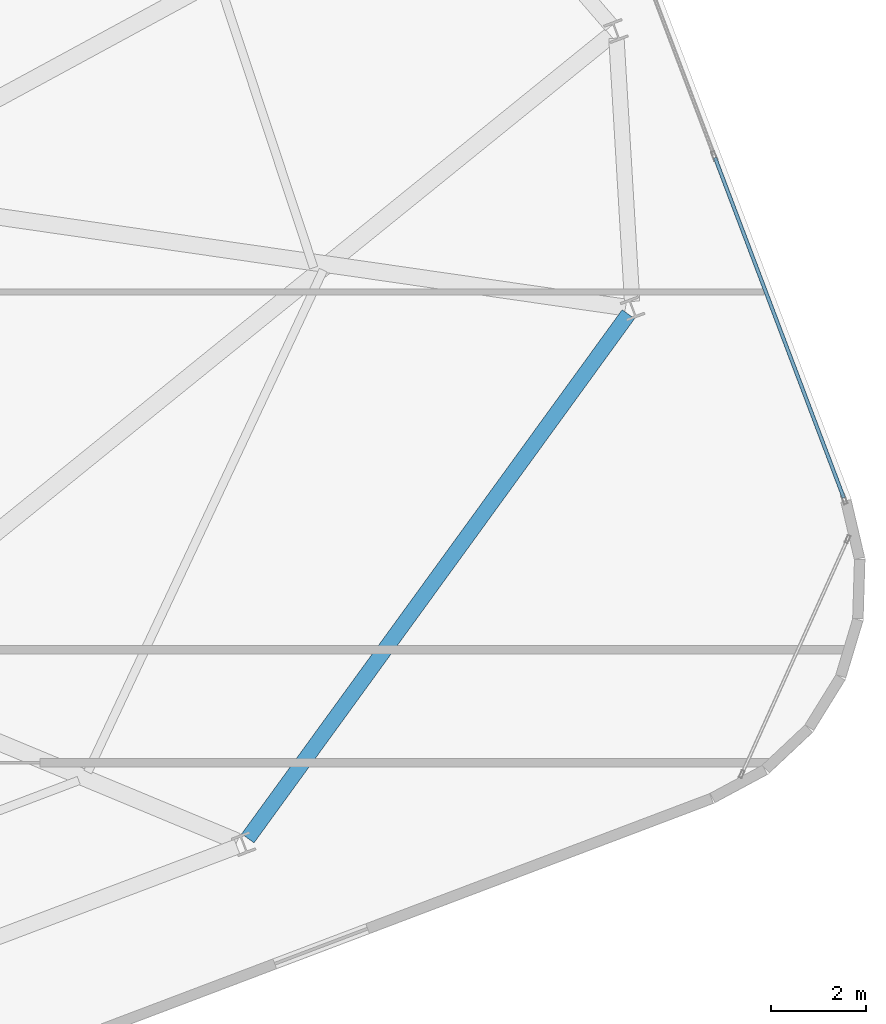
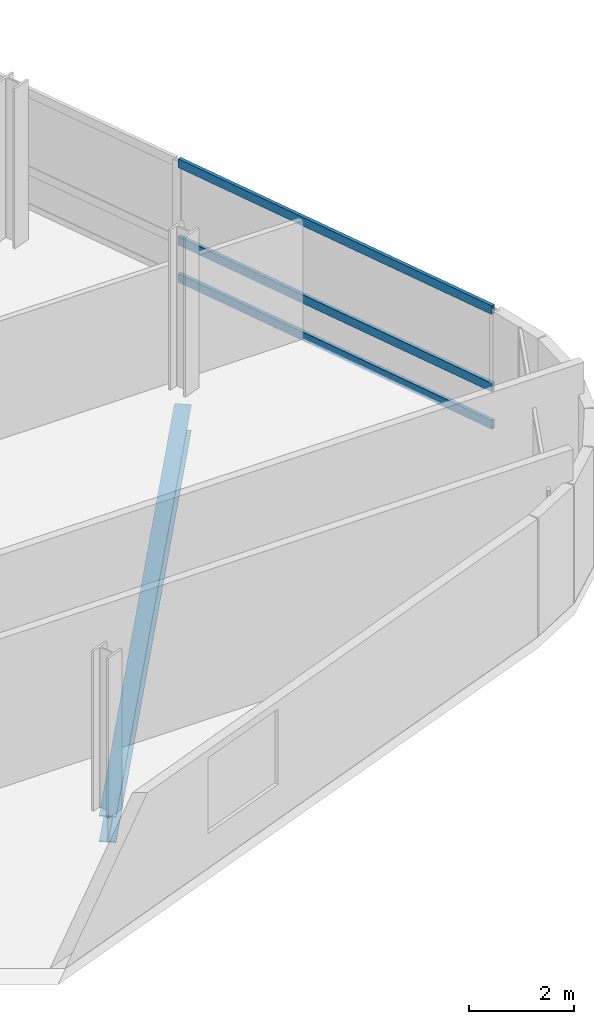
# One storey, part 14 of 24: 3 members, 1 beam, 1 element without a shape of its own.
"""IFC4 building model written with IfcOpenShell, lengths in metres."""

from ifc_helpers import new_model, si_unit, direction, frame, origin, origin_2d, place, context, subcontext, project, spatial, hollow_rectangle, i_section, extrude, material, layer, layer_set, material_profile, profile_set, type_object, element, aggregate, save


model = new_model("IFC4")

# Units and contexts
model_context = context("Model", 3, precision=1e-05, world=origin(), true_north=direction((0.0, 1.0)))
body_context = subcontext(model_context, "Body", "Model", "MODEL_VIEW")
ifc_project = project(units=[si_unit("LENGTHUNIT", "METRE"), si_unit("AREAUNIT", "SQUARE_METRE"), si_unit("VOLUMEUNIT", "CUBIC_METRE"), si_unit("PLANEANGLEUNIT", "RADIAN"), si_unit("MASSUNIT", "GRAM", prefix="KILO")], contexts=[model_context])

# Site, building, storey
site_placement = place(None, origin())
site = spatial("IfcSite", under=ifc_project, at=site_placement, CompositionType="ELEMENT")
building_placement = place(site_placement, origin())
building = spatial("IfcBuilding", under=site, at=building_placement, Name="Varnelok Gate Tower", CompositionType="ELEMENT")
storey_placement = place(building_placement, frame((0.0, 0.0, 242.300048828125)))
storey = spatial("IfcBuildingStorey", under=building, at=storey_placement, Name="L62", CompositionType="ELEMENT", Elevation=242.300048828125)

# Beam
ifc_material_1 = material(Name="Structural Steel ASTM A992 Grade 50", Category="steel")
ifc_material_profile_1 = material_profile(ifc_material_1, i_section(OverallWidth=0.323974609375, OverallDepth=0.611083984375, WebThickness=0.0126953125, FlangeThickness=0.01904296875, FilletRadius=0.01806640625, at=origin_2d()), Name="W24X104")
ifc_profile_set_1 = profile_set([ifc_material_profile_1], Name="Structural Steel ASTM A992 Grade 50")
beam_type = type_object("IfcBeamType", Name="BM-SPN-W24X104", PredefinedType="SPANDREL", material=ifc_profile_set_1)
beam_placement = place(storey_placement, frame((62.92041015625, 15.249755859375, -0.5556640625), z_axis=(0.58754084914, 0.809194507267, 0.0), x_axis=(-0.809194507267, 0.58754084914, 0.0)))
element("IfcBeam", 1, at=beam_placement, inside=storey, type_object=beam_type, Name="L62 Perimeter Spandrel Beam 5", PredefinedType="SPANDREL", context=body_context, shape_type="SweptSolid", body=[
    extrude(i_section(OverallWidth=0.323974609375, OverallDepth=0.611083984375, WebThickness=0.0126953125, FlangeThickness=0.01904296875, FilletRadius=0.01806640625, at=origin_2d()), origin(), (0.0, 0.0, 1.0), 13.695556640625),
])

# Curtain wall, members
ifc_material_2 = material(Name="Anodized Aluminum Alloy 6063-T6", Category="aluminium")
ifc_layer = layer(ifc_material_2, 0.179931640625)
ifc_layer_set = layer_set([ifc_layer], Name="Anodized Aluminum Alloy 6063-T6")
curtain_wall_type = type_object("IfcCurtainWallType", Name="CW4-RESIDENCE-VISION", PredefinedType="USERDEFINED", material=ifc_layer_set)
curtain_wall_placement = place(storey_placement, origin())
curtain_wall = element("IfcCurtainWall", 2, at=curtain_wall_placement, inside=storey, type_object=curtain_wall_type, Name="L62 East End Vision Curtain Wall", ObjectType="UNITISED CURTAIN WALL", PredefinedType="USERDEFINED")
ifc_material_profile_2 = material_profile(ifc_material_2, hollow_rectangle(XDim=0.074951171875, YDim=0.199951171875, WallThickness=0.00390625, at=origin_2d()), Name="ALU200X75X4")
ifc_profile_set_2 = profile_set([ifc_material_profile_2], Name="Anodized Aluminum Alloy 6063-T6")
member_type = type_object("IfcMemberType", Name="CW-TRAN-200", PredefinedType="USERDEFINED", material=ifc_profile_set_2)
member_1_placement = place(storey_placement, frame((72.7998046875, 29.64013671875, 0.037353515625), z_axis=(0.354062525952, -0.935221753231, 0.0), x_axis=(0.935221753231, 0.354062525952, 0.0)))
member_1 = element("IfcMember", 3, at=member_1_placement, type_object=member_type, Name="CW4 transom 4.1", ObjectType="TRANSOM", PredefinedType="USERDEFINED", context=body_context, shape_type="SweptSolid", body=[
    extrude(hollow_rectangle(XDim=0.074951171875, YDim=0.199951171875, WallThickness=0.00390625, at=origin_2d()), origin(), (0.0, 0.0, 1.0), 7.687744140625),
])
member_2_placement = place(storey_placement, frame((72.7998046875, 29.64013671875, 0.89990234375), z_axis=(0.354062525952, -0.935221753231, 0.0), x_axis=(0.935221753231, 0.354062525952, 0.0)))
member_2 = element("IfcMember", 4, at=member_2_placement, type_object=member_type, Name="CW4 transom 4.2", ObjectType="TRANSOM", PredefinedType="USERDEFINED", context=body_context, shape_type="SweptSolid", body=[
    extrude(hollow_rectangle(XDim=0.074951171875, YDim=0.199951171875, WallThickness=0.00390625, at=origin_2d()), origin(), (0.0, 0.0, 1.0), 7.687744140625),
])
member_3_placement = place(storey_placement, frame((72.7998046875, 29.64013671875, 2.6923828125), z_axis=(0.354062525952, -0.935221753231, 0.0), x_axis=(0.935221753231, 0.354062525952, 0.0)))
member_3 = element("IfcMember", 5, at=member_3_placement, type_object=member_type, Name="CW4 transom 4.3", ObjectType="TRANSOM", PredefinedType="USERDEFINED", context=body_context, shape_type="SweptSolid", body=[
    extrude(hollow_rectangle(XDim=0.074951171875, YDim=0.199951171875, WallThickness=0.00390625, at=origin_2d()), origin(), (0.0, 0.0, 1.0), 7.687744140625),
])
aggregate(curtain_wall, [member_1, member_2, member_3])

save(model, "model.ifc")
